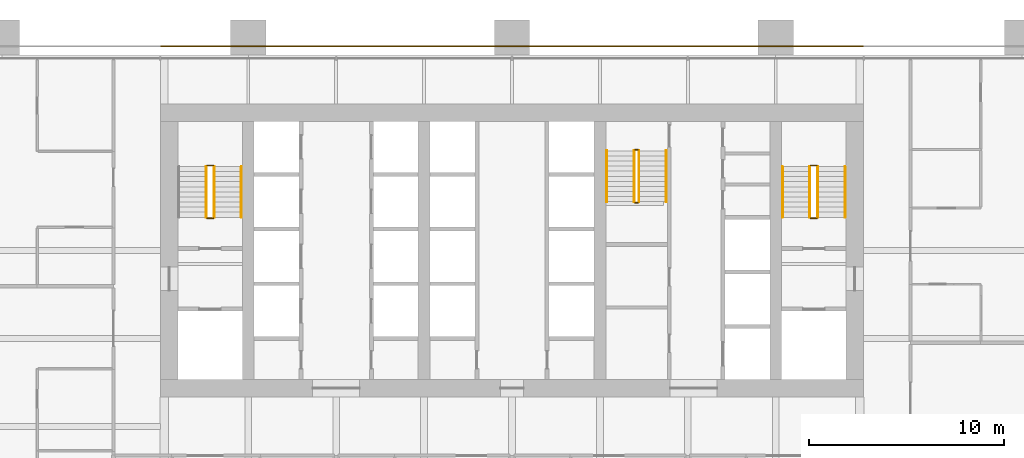
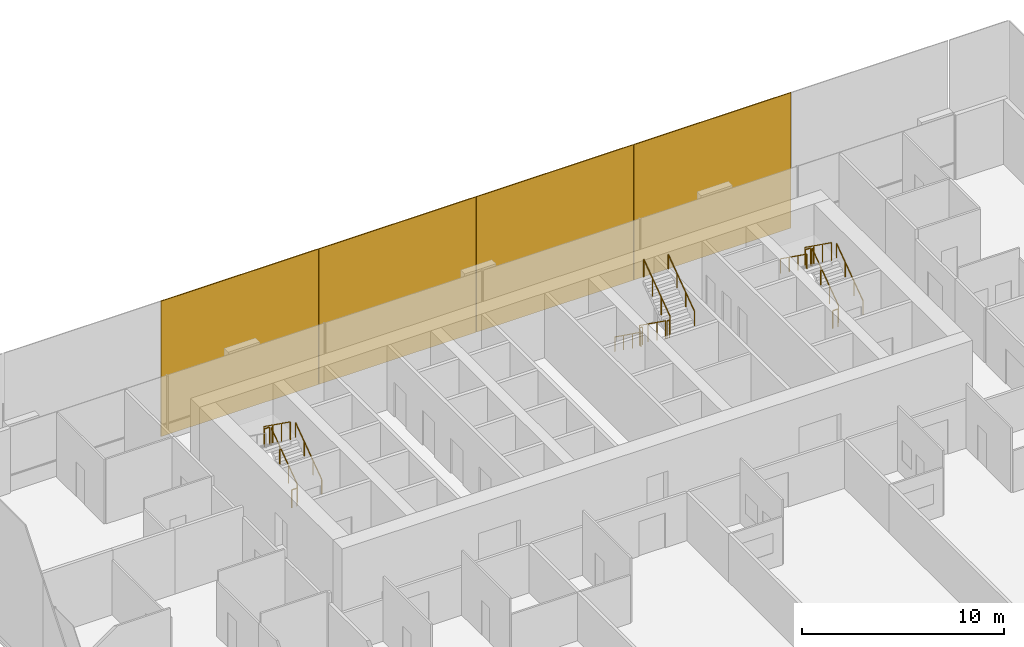
# One storey, part 17 of 18: 17 railings, 4 coverings.
"""IFC4 building model written with IfcOpenShell, lengths in metres."""

from ifc_helpers import new_model, si_unit, direction, frame, origin, origin_2d, place, context, subcontext, project, spatial, rectangle, extrude, material, layer, layer_set, type_object, element, save


model = new_model("IFC4")

# Units and contexts
model_context = context("Model", 3, precision=1e-05, world=origin(), true_north=direction((0.0, 1.0)))
body_context = subcontext(model_context, "Body", "Model", "MODEL_VIEW")
ifc_project = project(units=[si_unit("LENGTHUNIT", "METRE"), si_unit("AREAUNIT", "SQUARE_METRE"), si_unit("VOLUMEUNIT", "CUBIC_METRE"), si_unit("PLANEANGLEUNIT", "RADIAN"), si_unit("MASSUNIT", "GRAM", prefix="KILO")], contexts=[model_context])

# Site, building, storey
site_placement = place(None, origin())
site = spatial("IfcSite", under=ifc_project, at=site_placement, CompositionType="ELEMENT")
building_placement = place(site_placement, origin())
building = spatial("IfcBuilding", under=site, at=building_placement, Name="Rattan Terrace Tower", CompositionType="ELEMENT")
storey_placement = place(building_placement, frame((0.0, 0.0, 32.39990234375)))
storey = spatial("IfcBuildingStorey", under=building, at=storey_placement, Name="L06", CompositionType="ELEMENT", Elevation=32.39990234375)

# Railings
ifc_material_1 = material(Name="Powder-coated steel guard", Category="steel")
railing_type_1 = type_object("IfcRailingType", Name="Core stair guard", PredefinedType="GUARDRAIL", material=ifc_material_1)
railing_1_placement = place(storey_placement, frame((-15.25, 1.699951171875, 0.1865234375)))
element("IfcRailing", 1, at=railing_1_placement, inside=storey, type_object=railing_type_1, Name="L06 S1 stair guard 1", PredefinedType="GUARDRAIL", context=body_context, shape_type="SweptSolid", body=[
    extrude(rectangle(XDim=0.048095703125, YDim=0.048095703125, at=origin_2d()), frame((0.0, 0.0, 1.076171875), z_axis=(0.0, 0.812799059333, 0.582544152102), x_axis=(-1.0, 0.0, 0.0)), (0.0, 0.0, 1.0), 3.198974609375),
    extrude(rectangle(XDim=0.0419921875, YDim=0.0419921875, at=origin_2d()), origin(), (0.0, 0.0, 1.0), 1.052001953125),
    extrude(rectangle(XDim=0.0419921875, YDim=0.0419921875, at=origin_2d()), frame((0.0, 0.86669921875, 0.62109375)), (0.0, 0.0, 1.0), 1.052001953125),
    extrude(rectangle(XDim=0.0419921875, YDim=0.0419921875, at=origin_2d()), frame((0.0, 1.7333984375, 1.242431640625)), (0.0, 0.0, 1.0), 1.052001953125),
    extrude(rectangle(XDim=0.0419921875, YDim=0.0419921875, at=origin_2d()), frame((0.0, 2.60009765625, 1.863525390625)), (0.0, 0.0, 1.0), 1.052001953125),
])
railing_2_placement = place(storey_placement, frame((-15.300048828125, 4.35009765625, 2.050048828125)))
element("IfcRailing", 2, at=railing_2_placement, inside=storey, type_object=railing_type_1, Name="L06 S1 stair guard 2", PredefinedType="GUARDRAIL", context=body_context, shape_type="SweptSolid", body=[
    extrude(rectangle(XDim=0.048095703125, YDim=0.048095703125, at=origin_2d()), frame((0.0, 0.0, 1.076171875), z_axis=(-1.0, 0.0, 0.0), x_axis=(0.0, -1.0, 0.0)), (0.0, 0.0, 1.0), 0.300048828125),
    extrude(rectangle(XDim=0.0419921875, YDim=0.0419921875, at=origin_2d()), origin(), (0.0, 0.0, 1.0), 1.052001953125),
    extrude(rectangle(XDim=0.0419921875, YDim=0.0419921875, at=origin_2d()), frame((-0.300048828125, 0.0, 0.0)), (0.0, 0.0, 1.0), 1.052001953125),
])
railing_3_placement = place(storey_placement, frame((-15.64990234375, 4.300048828125, 2.236572265625)))
element("IfcRailing", 3, at=railing_3_placement, inside=storey, type_object=railing_type_1, Name="L06 S1 stair guard 3", PredefinedType="GUARDRAIL", context=body_context, shape_type="SweptSolid", body=[
    extrude(rectangle(XDim=0.048095703125, YDim=0.048095703125, at=origin_2d()), frame((0.0, 0.0, 1.076171875), z_axis=(0.0, -0.812799059333, 0.582544152102), x_axis=(1.0, 0.0, 0.0)), (0.0, 0.0, 1.0), 3.198974609375),
    extrude(rectangle(XDim=0.0419921875, YDim=0.0419921875, at=origin_2d()), origin(), (0.0, 0.0, 1.0), 1.052001953125),
    extrude(rectangle(XDim=0.0419921875, YDim=0.0419921875, at=origin_2d()), frame((0.0, -0.86669921875, 0.62109375)), (0.0, 0.0, 1.0), 1.052001953125),
    extrude(rectangle(XDim=0.0419921875, YDim=0.0419921875, at=origin_2d()), frame((0.0, -1.7333984375, 1.242431640625)), (0.0, 0.0, 1.0), 1.052001953125),
    extrude(rectangle(XDim=0.0419921875, YDim=0.0419921875, at=origin_2d()), frame((0.0, -2.60009765625, 1.863525390625)), (0.0, 0.0, 1.0), 1.052001953125),
])
railing_4_placement = place(storey_placement, frame((-15.300048828125, 1.64990234375, 0.0)))
element("IfcRailing", 4, at=railing_4_placement, inside=storey, type_object=railing_type_1, Name="L06 S1 stair guard 4", PredefinedType="GUARDRAIL", context=body_context, shape_type="SweptSolid", body=[
    extrude(rectangle(XDim=0.048095703125, YDim=0.048095703125, at=origin_2d()), frame((0.0, 0.0, 1.076171875), z_axis=(-1.0, 0.0, 0.0), x_axis=(0.0, -1.0, 0.0)), (0.0, 0.0, 1.0), 0.300048828125),
    extrude(rectangle(XDim=0.0419921875, YDim=0.0419921875, at=origin_2d()), origin(), (0.0, 0.0, 1.0), 1.052001953125),
    extrude(rectangle(XDim=0.0419921875, YDim=0.0419921875, at=origin_2d()), frame((-0.300048828125, 0.0, 0.0)), (0.0, 0.0, 1.0), 1.052001953125),
])
railing_5_placement = place(storey_placement, frame((15.64990234375, 1.699951171875, 0.1865234375)))
element("IfcRailing", 5, at=railing_5_placement, inside=storey, type_object=railing_type_1, Name="L06 S2 stair guard 1", PredefinedType="GUARDRAIL", context=body_context, shape_type="SweptSolid", body=[
    extrude(rectangle(XDim=0.048095703125, YDim=0.048095703125, at=origin_2d()), frame((0.0, 0.0, 1.076171875), z_axis=(0.0, 0.812799059333, 0.582544152102), x_axis=(-1.0, 0.0, 0.0)), (0.0, 0.0, 1.0), 3.198974609375),
    extrude(rectangle(XDim=0.0419921875, YDim=0.0419921875, at=origin_2d()), origin(), (0.0, 0.0, 1.0), 1.052001953125),
    extrude(rectangle(XDim=0.0419921875, YDim=0.0419921875, at=origin_2d()), frame((0.0, 0.86669921875, 0.62109375)), (0.0, 0.0, 1.0), 1.052001953125),
    extrude(rectangle(XDim=0.0419921875, YDim=0.0419921875, at=origin_2d()), frame((0.0, 1.7333984375, 1.242431640625)), (0.0, 0.0, 1.0), 1.052001953125),
    extrude(rectangle(XDim=0.0419921875, YDim=0.0419921875, at=origin_2d()), frame((0.0, 2.60009765625, 1.863525390625)), (0.0, 0.0, 1.0), 1.052001953125),
])
railing_6_placement = place(storey_placement, frame((15.60009765625, 4.35009765625, 2.050048828125)))
element("IfcRailing", 6, at=railing_6_placement, inside=storey, type_object=railing_type_1, Name="L06 S2 stair guard 2", PredefinedType="GUARDRAIL", context=body_context, shape_type="SweptSolid", body=[
    extrude(rectangle(XDim=0.048095703125, YDim=0.048095703125, at=origin_2d()), frame((0.0, 0.0, 1.076171875), z_axis=(-1.0, 0.0, 0.0), x_axis=(0.0, -1.0, 0.0)), (0.0, 0.0, 1.0), 0.300048828125),
    extrude(rectangle(XDim=0.0419921875, YDim=0.0419921875, at=origin_2d()), origin(), (0.0, 0.0, 1.0), 1.052001953125),
    extrude(rectangle(XDim=0.0419921875, YDim=0.0419921875, at=origin_2d()), frame((-0.300048828125, 0.0, 0.0)), (0.0, 0.0, 1.0), 1.052001953125),
])
railing_7_placement = place(storey_placement, frame((15.25, 4.300048828125, 2.236572265625)))
element("IfcRailing", 7, at=railing_7_placement, inside=storey, type_object=railing_type_1, Name="L06 S2 stair guard 3", PredefinedType="GUARDRAIL", context=body_context, shape_type="SweptSolid", body=[
    extrude(rectangle(XDim=0.048095703125, YDim=0.048095703125, at=origin_2d()), frame((0.0, 0.0, 1.076171875), z_axis=(0.0, -0.812799059333, 0.582544152102), x_axis=(1.0, 0.0, 0.0)), (0.0, 0.0, 1.0), 3.198974609375),
    extrude(rectangle(XDim=0.0419921875, YDim=0.0419921875, at=origin_2d()), origin(), (0.0, 0.0, 1.0), 1.052001953125),
    extrude(rectangle(XDim=0.0419921875, YDim=0.0419921875, at=origin_2d()), frame((0.0, -0.86669921875, 0.62109375)), (0.0, 0.0, 1.0), 1.052001953125),
    extrude(rectangle(XDim=0.0419921875, YDim=0.0419921875, at=origin_2d()), frame((0.0, -1.7333984375, 1.242431640625)), (0.0, 0.0, 1.0), 1.052001953125),
    extrude(rectangle(XDim=0.0419921875, YDim=0.0419921875, at=origin_2d()), frame((0.0, -2.60009765625, 1.863525390625)), (0.0, 0.0, 1.0), 1.052001953125),
])
railing_8_placement = place(storey_placement, frame((15.60009765625, 1.64990234375, 0.0)))
element("IfcRailing", 8, at=railing_8_placement, inside=storey, type_object=railing_type_1, Name="L06 S2 stair guard 4", PredefinedType="GUARDRAIL", context=body_context, shape_type="SweptSolid", body=[
    extrude(rectangle(XDim=0.048095703125, YDim=0.048095703125, at=origin_2d()), frame((0.0, 0.0, 1.076171875), z_axis=(-1.0, 0.0, 0.0), x_axis=(0.0, -1.0, 0.0)), (0.0, 0.0, 1.0), 0.300048828125),
    extrude(rectangle(XDim=0.0419921875, YDim=0.0419921875, at=origin_2d()), origin(), (0.0, 0.0, 1.0), 1.052001953125),
    extrude(rectangle(XDim=0.0419921875, YDim=0.0419921875, at=origin_2d()), frame((-0.300048828125, 0.0, 0.0)), (0.0, 0.0, 1.0), 1.052001953125),
])
railing_9_placement = place(storey_placement, frame((6.25, 5.10009765625, 0.1865234375)))
element("IfcRailing", 9, at=railing_9_placement, inside=storey, type_object=railing_type_1, Name="L06 S3 stair guard 1", PredefinedType="GUARDRAIL", context=body_context, shape_type="SweptSolid", body=[
    extrude(rectangle(XDim=0.048095703125, YDim=0.048095703125, at=origin_2d()), frame((0.0, 0.0, 1.076171875), z_axis=(0.0, -0.812799059333, 0.582544152102), x_axis=(1.0, 0.0, 0.0)), (0.0, 0.0, 1.0), 3.198974609375),
    extrude(rectangle(XDim=0.0419921875, YDim=0.0419921875, at=origin_2d()), origin(), (0.0, 0.0, 1.0), 1.052001953125),
    extrude(rectangle(XDim=0.0419921875, YDim=0.0419921875, at=origin_2d()), frame((0.0, -0.86669921875, 0.62109375)), (0.0, 0.0, 1.0), 1.052001953125),
    extrude(rectangle(XDim=0.0419921875, YDim=0.0419921875, at=origin_2d()), frame((0.0, -1.7333984375, 1.242431640625)), (0.0, 0.0, 1.0), 1.052001953125),
    extrude(rectangle(XDim=0.0419921875, YDim=0.0419921875, at=origin_2d()), frame((0.0, -2.60009765625, 1.863525390625)), (0.0, 0.0, 1.0), 1.052001953125),
])
railing_10_placement = place(storey_placement, frame((6.300048828125, 2.449951171875, 2.050048828125)))
element("IfcRailing", 10, at=railing_10_placement, inside=storey, type_object=railing_type_1, Name="L06 S3 stair guard 2", PredefinedType="GUARDRAIL", context=body_context, shape_type="SweptSolid", body=[
    extrude(rectangle(XDim=0.048095703125, YDim=0.048095703125, at=origin_2d()), frame((0.0, 0.0, 1.076171875), z_axis=(1.0, 0.0, 0.0), x_axis=(0.0, 1.0, 0.0)), (0.0, 0.0, 1.0), 0.14990234375),
    extrude(rectangle(XDim=0.0419921875, YDim=0.0419921875, at=origin_2d()), origin(), (0.0, 0.0, 1.0), 1.052001953125),
    extrude(rectangle(XDim=0.0419921875, YDim=0.0419921875, at=origin_2d()), frame((0.14990234375, 0.0, 0.0)), (0.0, 0.0, 1.0), 1.052001953125),
])
railing_11_placement = place(storey_placement, frame((6.5, 2.5, 2.236572265625)))
element("IfcRailing", 11, at=railing_11_placement, inside=storey, type_object=railing_type_1, Name="L06 S3 stair guard 3", PredefinedType="GUARDRAIL", context=body_context, shape_type="SweptSolid", body=[
    extrude(rectangle(XDim=0.048095703125, YDim=0.048095703125, at=origin_2d()), frame((0.0, 0.0, 1.076171875), z_axis=(0.0, 0.812799059333, 0.582544152102), x_axis=(-1.0, 0.0, 0.0)), (0.0, 0.0, 1.0), 3.198974609375),
    extrude(rectangle(XDim=0.0419921875, YDim=0.0419921875, at=origin_2d()), origin(), (0.0, 0.0, 1.0), 1.052001953125),
    extrude(rectangle(XDim=0.0419921875, YDim=0.0419921875, at=origin_2d()), frame((0.0, 0.86669921875, 0.62109375)), (0.0, 0.0, 1.0), 1.052001953125),
    extrude(rectangle(XDim=0.0419921875, YDim=0.0419921875, at=origin_2d()), frame((0.0, 1.7333984375, 1.242431640625)), (0.0, 0.0, 1.0), 1.052001953125),
    extrude(rectangle(XDim=0.0419921875, YDim=0.0419921875, at=origin_2d()), frame((0.0, 2.60009765625, 1.863525390625)), (0.0, 0.0, 1.0), 1.052001953125),
])
railing_12_placement = place(storey_placement, frame((6.300048828125, 5.14990234375, 0.0)))
element("IfcRailing", 12, at=railing_12_placement, inside=storey, type_object=railing_type_1, Name="L06 S3 stair guard 4", PredefinedType="GUARDRAIL", context=body_context, shape_type="SweptSolid", body=[
    extrude(rectangle(XDim=0.048095703125, YDim=0.048095703125, at=origin_2d()), frame((0.0, 0.0, 1.076171875), z_axis=(1.0, 0.0, 0.0), x_axis=(0.0, 1.0, 0.0)), (0.0, 0.0, 1.0), 0.14990234375),
    extrude(rectangle(XDim=0.0419921875, YDim=0.0419921875, at=origin_2d()), origin(), (0.0, 0.0, 1.0), 1.052001953125),
    extrude(rectangle(XDim=0.0419921875, YDim=0.0419921875, at=origin_2d()), frame((0.14990234375, 0.0, 0.0)), (0.0, 0.0, 1.0), 1.052001953125),
])
ifc_material_2 = material(Name="Powder-coated steel handrail", Category="steel")
railing_type_2 = type_object("IfcRailingType", Name="Core stair handrail", PredefinedType="HANDRAIL", material=ifc_material_2)
for number, where, name in (
    (13, (-13.85009765625, 1.699951171875, 0.1865234375), "L06 S1 stair handrail 1"),
    (14, (17.050048828125, 1.699951171875, 0.1865234375), "L06 S2 stair handrail 1"),
):
    element("IfcRailing", number, at=place(storey_placement, frame(where)), inside=storey, type_object=railing_type_2, Name=name, PredefinedType="HANDRAIL", context=body_context, shape_type="SweptSolid", body=[
        extrude(rectangle(XDim=0.048095703125, YDim=0.048095703125, at=origin_2d()), frame((0.0, 0.0, 0.8759765625), z_axis=(0.0, 0.812799059333, 0.582544152102), x_axis=(-1.0, 0.0, 0.0)), (0.0, 0.0, 1.0), 3.198974609375),
        extrude(rectangle(XDim=0.0419921875, YDim=0.0419921875, at=origin_2d()), origin(), (0.0, 0.0, 1.0), 0.851806640625),
        extrude(rectangle(XDim=0.0419921875, YDim=0.0419921875, at=origin_2d()), frame((0.0, 0.86669921875, 0.62109375)), (0.0, 0.0, 1.0), 0.851806640625),
        extrude(rectangle(XDim=0.0419921875, YDim=0.0419921875, at=origin_2d()), frame((0.0, 1.7333984375, 1.242431640625)), (0.0, 0.0, 1.0), 0.851806640625),
        extrude(rectangle(XDim=0.0419921875, YDim=0.0419921875, at=origin_2d()), frame((0.0, 2.60009765625, 1.863525390625)), (0.0, 0.0, 1.0), 0.851806640625),
    ])
for number, where, name in (
    (15, (13.85009765625, 4.300048828125, 2.236572265625), "L06 S2 stair handrail 2"),
    (16, (4.85009765625, 5.10009765625, 0.1865234375), "L06 S3 stair handrail 1"),
):
    element("IfcRailing", number, at=place(storey_placement, frame(where)), inside=storey, type_object=railing_type_2, Name=name, PredefinedType="HANDRAIL", context=body_context, shape_type="SweptSolid", body=[
        extrude(rectangle(XDim=0.048095703125, YDim=0.048095703125, at=origin_2d()), frame((0.0, 0.0, 0.8759765625), z_axis=(0.0, -0.812799059333, 0.582544152102), x_axis=(1.0, 0.0, 0.0)), (0.0, 0.0, 1.0), 3.198974609375),
        extrude(rectangle(XDim=0.0419921875, YDim=0.0419921875, at=origin_2d()), origin(), (0.0, 0.0, 1.0), 0.851806640625),
        extrude(rectangle(XDim=0.0419921875, YDim=0.0419921875, at=origin_2d()), frame((0.0, -0.86669921875, 0.62109375)), (0.0, 0.0, 1.0), 0.851806640625),
        extrude(rectangle(XDim=0.0419921875, YDim=0.0419921875, at=origin_2d()), frame((0.0, -1.7333984375, 1.242431640625)), (0.0, 0.0, 1.0), 0.851806640625),
        extrude(rectangle(XDim=0.0419921875, YDim=0.0419921875, at=origin_2d()), frame((0.0, -2.60009765625, 1.863525390625)), (0.0, 0.0, 1.0), 0.851806640625),
    ])
railing_13_placement = place(storey_placement, frame((7.89990234375, 2.5, 2.236572265625)))
element("IfcRailing", 17, at=railing_13_placement, inside=storey, type_object=railing_type_2, Name="L06 S3 stair handrail 2", PredefinedType="HANDRAIL", context=body_context, shape_type="SweptSolid", body=[
    extrude(rectangle(XDim=0.048095703125, YDim=0.048095703125, at=origin_2d()), frame((0.0, 0.0, 0.8759765625), z_axis=(0.0, 0.812799059333, 0.582544152102), x_axis=(-1.0, 0.0, 0.0)), (0.0, 0.0, 1.0), 3.198974609375),
    extrude(rectangle(XDim=0.0419921875, YDim=0.0419921875, at=origin_2d()), origin(), (0.0, 0.0, 1.0), 0.851806640625),
    extrude(rectangle(XDim=0.0419921875, YDim=0.0419921875, at=origin_2d()), frame((0.0, 0.86669921875, 0.62109375)), (0.0, 0.0, 1.0), 0.851806640625),
    extrude(rectangle(XDim=0.0419921875, YDim=0.0419921875, at=origin_2d()), frame((0.0, 1.7333984375, 1.242431640625)), (0.0, 0.0, 1.0), 0.851806640625),
    extrude(rectangle(XDim=0.0419921875, YDim=0.0419921875, at=origin_2d()), frame((0.0, 2.60009765625, 1.863525390625)), (0.0, 0.0, 1.0), 0.851806640625),
])

# Coverings
ifc_material_3 = material(Name="Perforated terracotta", Category="masonry")
ifc_layer = layer(ifc_material_3, 0.06005859375)
ifc_layer_set = layer_set([ifc_layer], Name="Facade Terracotta Screen Panel")
covering_type = type_object("IfcCoveringType", Name="Facade Terracotta Screen Panel", PredefinedType="CLADDING", material=ifc_layer_set)
for number, where, z_axis, x_axis, name in (
    (18, (13.5, 10.449951171875, -0.18994140625), (0.0, 0.0, 1.0), (-1.0, 0.0, 0.0), "OUTER SKIN panel L06-16"),
    (19, (4.5, 10.449951171875, -0.18994140625), (0.0, 0.0, 1.0), (-1.0, 0.0, 0.0), "OUTER SKIN panel L06-17"),
    (20, (-4.5, 10.449951171875, -0.18994140625), (0.0, 0.0, 1.0), (-1.0, 0.0, 0.0), "OUTER SKIN panel L06-18"),
    (21, (-13.5, 10.449951171875, -0.18994140625), (0.0, 0.0, 1.0), (-1.0, 0.0, 0.0), "OUTER SKIN panel L06-19"),
):
    element("IfcCovering", number, at=place(storey_placement, frame(where, z_axis=z_axis, x_axis=x_axis)), inside=storey, type_object=covering_type, Name=name, PredefinedType="CLADDING", context=body_context, shape_type="SweptSolid", body=[
        extrude(rectangle(XDim=8.97998046875, YDim=0.06005859375, at=origin_2d()), origin(), (0.0, 0.0, 1.0), 8.179931640625),
    ])

save(model, "model.ifc")
